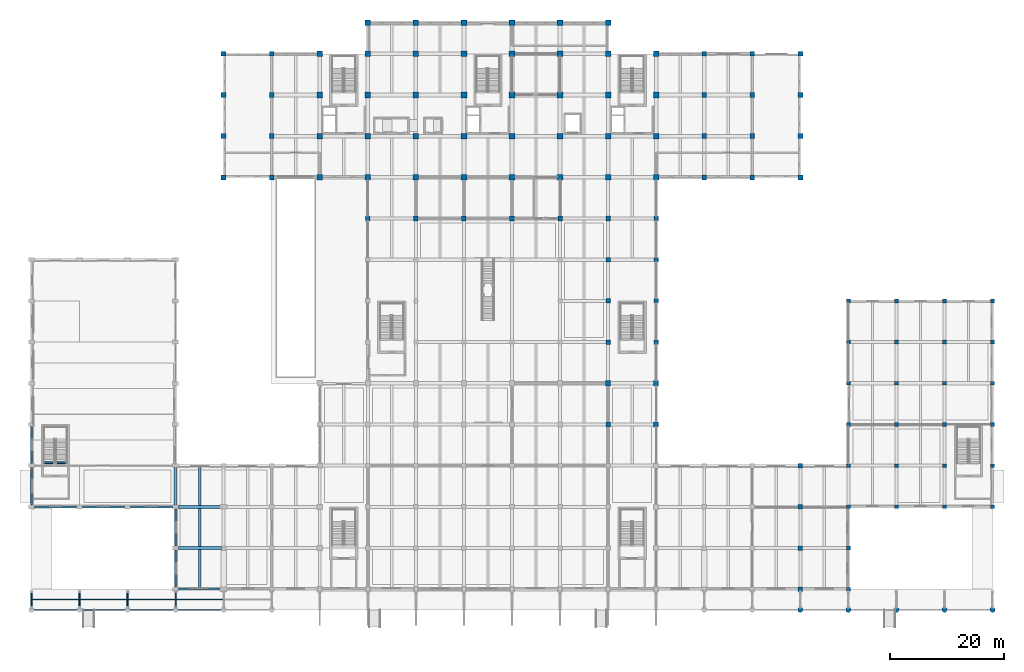
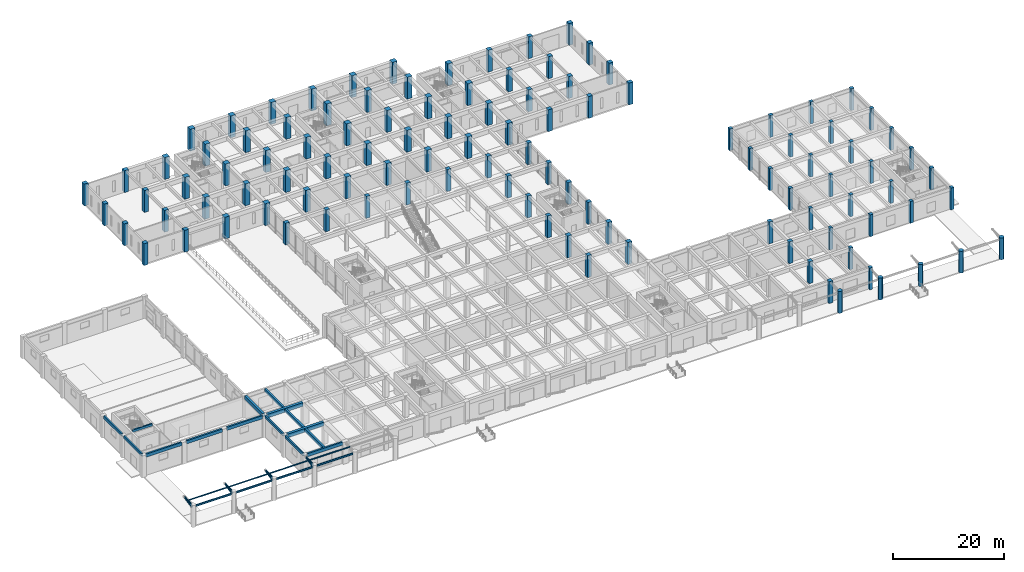
# One storey, part 3 of 49: 110 columns, 23 beams, 8 members.
"""IFC4 building model written with IfcOpenShell, lengths in metres."""

import ifcopenshell
import ifcopenshell.guid

model = None  # the IFC model being written
_history = None  # IfcOwnerHistory: only IFC2X3 demands one
_inside = {}  # id of a spatial element -> (the spatial element, [elements in it])
_under = {}  # id of a project, library or spatial element -> (it, [spatial elements below it])
_declared = {}  # id of a project -> (the project, [libraries it declares])
_typed = {}  # id of a type object -> (the type object, [elements of that type])
_made_of = {}  # id of a material, layer set ... -> (it, [elements and type objects made of it])


def new_model(schema):
    """Start an empty IFC model of exactly this schema.

    Asked for "IFC4X3", IfcOpenShell would pick the latest addendum, in which some entities
    have other attributes; the version numbers below select the first issue.
    IFC2X3 requires an IfcOwnerHistory on every rooted entity: one is made here for all.
    """
    global model, _history
    if schema == "IFC4X3":
        model = ifcopenshell.file(schema_version=(4, 3, 0, 0))
    else:
        model = ifcopenshell.file(schema=schema)
    _inside.clear()
    _under.clear()
    _declared.clear()
    _typed.clear()
    _made_of.clear()
    _history = None
    if model.schema == "IFC2X3":
        org = make("IfcOrganization", Name="unknown")
        user = make(
            "IfcPersonAndOrganization",
            ThePerson=make("IfcPerson", FamilyName="unknown"),
            TheOrganization=org,
        )
        app = make(
            "IfcApplication",
            ApplicationDeveloper=org,
            Version="unknown",
            ApplicationFullName="unknown",
            ApplicationIdentifier="unknown",
        )
        _history = make(
            "IfcOwnerHistory",
            OwningUser=user,
            OwningApplication=app,
            ChangeAction="ADDED",
            CreationDate=0,
        )
    return model


def make(cls, **values):
    """One entity of the class cls with the attributes given. An attribute that is None is left unset."""
    return model.create_entity(
        cls, **{name: value for name, value in values.items() if value is not None}
    )


def rooted(cls, **values):
    """An entity with a GlobalId (a new one), such as an element, a storey or a relation."""
    return make(cls, GlobalId=ifcopenshell.guid.new(), OwnerHistory=_history, **values)


def si_unit(unit_type, name, prefix=None):
    """IfcSIUnit, for example si_unit("LENGTHUNIT", "METRE", prefix="MILLI")."""
    return make("IfcSIUnit", UnitType=unit_type, Prefix=prefix, Name=name)


def assignment(units):
    """IfcUnitAssignment: the units of a project."""
    return None if units is None else make("IfcUnitAssignment", Units=units)


def point(xyz):
    """IfcCartesianPoint."""
    return None if xyz is None else make("IfcCartesianPoint", Coordinates=xyz)


def direction(xyz):
    """IfcDirection."""
    return None if xyz is None else make("IfcDirection", DirectionRatios=xyz)


def frame(location, z_axis=None, x_axis=None):
    """IfcAxis2Placement3D, a coordinate frame: its origin and axes. An axis left out is left unset."""
    return make(
        "IfcAxis2Placement3D",
        Location=point(location),
        Axis=direction(z_axis),
        RefDirection=direction(x_axis),
    )


def frame_2d(location, x_axis=None):
    """IfcAxis2Placement2D, a coordinate frame in the plane: its origin and x axis."""
    return make(
        "IfcAxis2Placement2D", Location=point(location), RefDirection=direction(x_axis)
    )


def origin():
    """The frame at (0, 0, 0) with its axes left unset."""
    return frame((0.0, 0.0, 0.0))


def origin_2d():
    """The frame at (0, 0) in the plane with its x axis left unset."""
    return frame_2d((0.0, 0.0))


def place(relative_to, where):
    """IfcLocalPlacement: puts the frame where relative to a parent placement (None: the world)."""
    return make(
        "IfcLocalPlacement", PlacementRelTo=relative_to, RelativePlacement=where
    )


def context(
    kind, dimensions, precision=None, world=None, true_north=None, identifier=None
):
    """IfcGeometricRepresentationContext, for example the 3D "Model" context."""
    return make(
        "IfcGeometricRepresentationContext",
        ContextIdentifier=identifier,
        ContextType=kind,
        CoordinateSpaceDimension=dimensions,
        Precision=precision,
        WorldCoordinateSystem=world,
        TrueNorth=true_north,
    )


def subcontext(parent, identifier, kind, view, scale=None):
    """IfcGeometricRepresentationSubContext, for example "Body" below "Model"."""
    return make(
        "IfcGeometricRepresentationSubContext",
        ContextIdentifier=identifier,
        ContextType=kind,
        ParentContext=parent,
        TargetScale=scale,
        TargetView=view,
    )


def project(units=None, contexts=None):
    """IfcProject with its units and contexts."""
    return rooted(
        "IfcProject",
        Name="project",
        RepresentationContexts=contexts,
        UnitsInContext=assignment(units),
    )


def spatial(cls, under=None, at=None, **own):
    """A site, building, storey or space (cls), placed at a placement, below another one or the project."""
    s = rooted(cls, ObjectPlacement=at, **own)
    if under is not None:
        _under.setdefault(under.id(), (under, []))[1].append(s)
    return s


def profile(cls, at=None, kind="AREA", **sizes):
    """A parametric profile (cls). Its sizes go by their IFC names, for example OverallWidth=200.0."""
    return make(cls, ProfileType=kind, Position=at, **sizes)


def rectangle(**sizes):
    """IfcRectangleProfileDef."""
    return profile("IfcRectangleProfileDef", **sizes)


def circle(**sizes):
    """IfcCircleProfileDef."""
    return profile("IfcCircleProfileDef", **sizes)


def i_section(**sizes):
    """IfcIShapeProfileDef."""
    return profile("IfcIShapeProfileDef", **sizes)


def extrude(swept, where, along, depth):
    """IfcExtrudedAreaSolid: the profile swept, set in the frame where, extruded along a direction by depth."""
    return make(
        "IfcExtrudedAreaSolid",
        SweptArea=swept,
        Position=where,
        ExtrudedDirection=direction(along),
        Depth=depth,
    )


def shape(context_of_items, identifier, shape_type, items):
    """IfcShapeRepresentation: the items that make up one representation, for example the "Body"."""
    return make(
        "IfcShapeRepresentation",
        ContextOfItems=context_of_items,
        RepresentationIdentifier=identifier,
        RepresentationType=shape_type,
        Items=items,
    )


def material(Name=None, Category=None):
    """IfcMaterial."""
    return make("IfcMaterial", Name=Name, Category=Category)


def material_profile(
    of_material, cross_section, Name=None, Category=None, Priority=None
):
    """IfcMaterialProfile: a cross section and its material."""
    return make(
        "IfcMaterialProfile",
        Name=Name,
        Material=of_material,
        Profile=cross_section,
        Priority=Priority,
        Category=Category,
    )


def profile_set(profiles, Name=None, composite=None):
    """IfcMaterialProfileSet."""
    return make(
        "IfcMaterialProfileSet",
        Name=Name,
        MaterialProfiles=profiles,
        CompositeProfile=composite,
    )


def made_of(thing, what):
    """Note that an element or type object is made of a material, layer set ...; save() writes the relation."""
    if what is not None:
        _made_of.setdefault(what.id(), (what, []))[1].append(thing)
    return thing


def type_object(cls, material=None, **own):
    """A type object (cls), such as IfcWallType, which elements share."""
    return made_of(rooted(cls, **own), material)


def element(
    cls,
    number,
    at=None,
    inside=None,
    cuts=None,
    type_object=None,
    material=None,
    context=None,
    identifier="Body",
    shape_type=None,
    held_by="IfcProductDefinitionShape",
    body=None,
    shapes=None,
    **own,
):
    """One element of the class cls, such as IfcWall. Its Tag is "e" and its number.

    at: its placement. inside: the storey or other place that contains it. cuts: it is an
    opening in that element (IfcRelVoidsElement). A single representation is given by context,
    identifier, shape_type and body (its items); several are given by shapes. held_by: the class
    of the entity that holds the representations. save() writes the other relations.
    """
    e = rooted(cls, Tag="e%d" % number, ObjectPlacement=at, **own)
    if body is not None:
        shapes = [shape(context, identifier, shape_type, body)]
    if shapes is not None:
        e.Representation = make(held_by, Representations=shapes)
    if inside is not None:
        _inside.setdefault(inside.id(), (inside, []))[1].append(e)
    if cuts is not None:
        rooted(
            "IfcRelVoidsElement", RelatingBuildingElement=cuts, RelatedOpeningElement=e
        )
    if type_object is not None:
        _typed.setdefault(type_object.id(), (type_object, []))[1].append(e)
    return made_of(e, material)


def aggregate(whole, parts):
    """IfcRelAggregates: a whole, such as a stair, and the parts it consists of."""
    return rooted("IfcRelAggregates", RelatingObject=whole, RelatedObjects=parts)


def save(model, path):
    """Write the relations noted so far, then the file.

    IfcRelAggregates (storeys below a building ...), IfcRelContainedInSpatialStructure (elements
    in a storey), IfcRelDefinesByType, IfcRelAssociatesMaterial and IfcRelDeclares: one each for
    every whole, place, type object, material and project.
    """
    for whole, parts in _under.values():
        aggregate(whole, parts)
    for where, things in _inside.values():
        rooted(
            "IfcRelContainedInSpatialStructure",
            RelatedElements=things,
            RelatingStructure=where,
        )
    for kind, things in _typed.values():
        rooted("IfcRelDefinesByType", RelatedObjects=things, RelatingType=kind)
    for what, things in _made_of.values():
        rooted("IfcRelAssociatesMaterial", RelatedObjects=things, RelatingMaterial=what)
    for by, libraries in _declared.values():
        rooted("IfcRelDeclares", RelatingContext=by, RelatedDefinitions=libraries)
    model.write(path)


model = new_model("IFC4")

# Units and contexts
model_context = context("Model", 3, precision=1e-05, world=origin(), true_north=direction((0.0, 1.0)))
body_context = subcontext(model_context, "Body", "Model", "MODEL_VIEW")
ifc_project = project(units=[si_unit("LENGTHUNIT", "METRE"), si_unit("AREAUNIT", "SQUARE_METRE"), si_unit("VOLUMEUNIT", "CUBIC_METRE"), si_unit("PLANEANGLEUNIT", "RADIAN"), si_unit("MASSUNIT", "GRAM", prefix="KILO")], contexts=[model_context])

# Site, building, storey
site_placement = place(None, origin())
site = spatial("IfcSite", under=ifc_project, at=site_placement, CompositionType="ELEMENT")
building_placement = place(site_placement, origin())
building = spatial("IfcBuilding", under=site, at=building_placement, Name="Kenerak Square Central Library", CompositionType="ELEMENT")
storey_placement = place(building_placement, origin())
storey = spatial("IfcBuildingStorey", under=building, at=storey_placement, Name="L00", CompositionType="ELEMENT", Elevation=0.0)

# Columns
ifc_material_1 = material(Name="Concrete C45/55", Category="concrete")
ifc_material_profile_1 = material_profile(ifc_material_1, circle(Radius=0.449951171875, at=origin_2d()), Name="RC D900")
ifc_profile_set_1 = profile_set([ifc_material_profile_1], Name="Concrete C45/55")
column_type_1 = type_object("IfcColumnType", Name="Colonnade Pier C-12 RC D900 C45/55", PredefinedType="COLUMN", material=ifc_profile_set_1)
for number, where, z_axis, x_axis, name in (
    (1, (142.39990234375, 13.199951171875, 0.0), (0.0, 0.0, 1.0), (1.0, 0.0, 0.0), "Colonnade Pier C-12 09"),
    (2, (150.800048828125, 13.199951171875, 0.0), (0.0, 0.0, 1.0), (1.0, 0.0, 0.0), "Colonnade Pier C-12 10"),
    (3, (159.199951171875, 13.199951171875, 0.0), (0.0, 0.0, 1.0), (1.0, 0.0, 0.0), "Colonnade Pier C-12 11"),
    (4, (167.60009765625, 13.199951171875, 0.0), (0.0, 0.0, 1.0), (1.0, 0.0, 0.0), "Colonnade Pier C-12 12"),
    (5, (176.0, 13.199951171875, 0.0), (0.0, 0.0, 1.0), (1.0, 0.0, 0.0), "Colonnade Pier C-12 13"),
):
    element("IfcColumn", number, at=place(storey_placement, frame(where, z_axis=z_axis, x_axis=x_axis)), inside=storey, type_object=column_type_1, Name=name, PredefinedType="COLUMN", context=body_context, shape_type="SweptSolid", body=[
        extrude(circle(Radius=0.449951171875, at=origin_2d()), origin(), (0.0, 0.0, 1.0), 4.800048828125),
    ])
ifc_material_profile_2 = material_profile(ifc_material_1, rectangle(XDim=1.0, YDim=1.0, at=origin_2d()), Name="RC 1000x1000")
ifc_profile_set_2 = profile_set([ifc_material_profile_2], Name="Concrete C45/55")
column_type_2 = type_object("IfcColumnType", Name="Column C-01 RC 1000x1000 C45/55", PredefinedType="COLUMN", material=ifc_profile_set_2)
for number, where, z_axis, x_axis, name in (
    (6, (58.39990234375, 88.800048828125, 0.0), (0.0, 0.0, 1.0), (1.0, 0.0, 0.0), "Column C-01 L00 7/N"),
    (7, (58.39990234375, 96.0, 0.0), (0.0, 0.0, 1.0), (1.0, 0.0, 0.0), "Column C-01 L00 7/P"),
    (8, (58.39990234375, 103.199951171875, 0.0), (0.0, 0.0, 1.0), (1.0, 0.0, 0.0), "Column C-01 L00 7/Q"),
    (9, (58.39990234375, 110.39990234375, 0.0), (0.0, 0.0, 1.0), (1.0, 0.0, 0.0), "Column C-01 L00 7/R"),
    (10, (66.800048828125, 88.800048828125, 0.0), (0.0, 0.0, 1.0), (1.0, 0.0, 0.0), "Column C-01 L00 8/N"),
    (11, (66.800048828125, 96.0, 0.0), (0.0, 0.0, 1.0), (1.0, 0.0, 0.0), "Column C-01 L00 8/P"),
    (12, (66.800048828125, 103.199951171875, 0.0), (0.0, 0.0, 1.0), (1.0, 0.0, 0.0), "Column C-01 L00 8/Q"),
    (13, (66.800048828125, 110.39990234375, 0.0), (0.0, 0.0, 1.0), (1.0, 0.0, 0.0), "Column C-01 L00 8/R"),
    (14, (66.800048828125, 115.800048828125, 0.0), (0.0, 0.0, 1.0), (1.0, 0.0, 0.0), "Column C-01 L00 8/S"),
    (15, (75.199951171875, 88.800048828125, 0.0), (0.0, 0.0, 1.0), (1.0, 0.0, 0.0), "Column C-01 L00 9/N"),
    (16, (75.199951171875, 96.0, 0.0), (0.0, 0.0, 1.0), (1.0, 0.0, 0.0), "Column C-01 L00 9/P"),
    (17, (75.199951171875, 103.199951171875, 0.0), (0.0, 0.0, 1.0), (1.0, 0.0, 0.0), "Column C-01 L00 9/Q"),
    (18, (75.199951171875, 110.39990234375, 0.0), (0.0, 0.0, 1.0), (1.0, 0.0, 0.0), "Column C-01 L00 9/R"),
    (19, (75.199951171875, 115.800048828125, 0.0), (0.0, 0.0, 1.0), (1.0, 0.0, 0.0), "Column C-01 L00 9/S"),
    (20, (83.60009765625, 88.800048828125, 0.0), (0.0, 0.0, 1.0), (1.0, 0.0, 0.0), "Column C-01 L00 10/N"),
    (21, (83.60009765625, 96.0, 0.0), (0.0, 0.0, 1.0), (1.0, 0.0, 0.0), "Column C-01 L00 10/P"),
    (22, (83.60009765625, 103.199951171875, 0.0), (0.0, 0.0, 1.0), (1.0, 0.0, 0.0), "Column C-01 L00 10/Q"),
    (23, (83.60009765625, 110.39990234375, 0.0), (0.0, 0.0, 1.0), (1.0, 0.0, 0.0), "Column C-01 L00 10/R"),
    (24, (83.60009765625, 115.800048828125, 0.0), (0.0, 0.0, 1.0), (1.0, 0.0, 0.0), "Column C-01 L00 10/S"),
    (25, (92.0, 88.800048828125, 0.0), (0.0, 0.0, 1.0), (1.0, 0.0, 0.0), "Column C-01 L00 11/N"),
    (26, (92.0, 96.0, 0.0), (0.0, 0.0, 1.0), (1.0, 0.0, 0.0), "Column C-01 L00 11/P"),
    (27, (92.0, 103.199951171875, 0.0), (0.0, 0.0, 1.0), (1.0, 0.0, 0.0), "Column C-01 L00 11/Q"),
    (28, (92.0, 110.39990234375, 0.0), (0.0, 0.0, 1.0), (1.0, 0.0, 0.0), "Column C-01 L00 11/R"),
    (29, (92.0, 115.800048828125, 0.0), (0.0, 0.0, 1.0), (1.0, 0.0, 0.0), "Column C-01 L00 11/S"),
    (30, (100.39990234375, 88.800048828125, 0.0), (0.0, 0.0, 1.0), (1.0, 0.0, 0.0), "Column C-01 L00 12/N"),
    (31, (100.39990234375, 96.0, 0.0), (0.0, 0.0, 1.0), (1.0, 0.0, 0.0), "Column C-01 L00 12/P"),
    (32, (100.39990234375, 103.199951171875, 0.0), (0.0, 0.0, 1.0), (1.0, 0.0, 0.0), "Column C-01 L00 12/Q"),
    (33, (100.39990234375, 110.39990234375, 0.0), (0.0, 0.0, 1.0), (1.0, 0.0, 0.0), "Column C-01 L00 12/R"),
    (34, (100.39990234375, 115.800048828125, 0.0), (0.0, 0.0, 1.0), (1.0, 0.0, 0.0), "Column C-01 L00 12/S"),
    (35, (108.800048828125, 88.800048828125, 0.0), (0.0, 0.0, 1.0), (1.0, 0.0, 0.0), "Column C-01 L00 13/N"),
    (36, (108.800048828125, 96.0, 0.0), (0.0, 0.0, 1.0), (1.0, 0.0, 0.0), "Column C-01 L00 13/P"),
    (37, (108.800048828125, 103.199951171875, 0.0), (0.0, 0.0, 1.0), (1.0, 0.0, 0.0), "Column C-01 L00 13/Q"),
    (38, (108.800048828125, 110.39990234375, 0.0), (0.0, 0.0, 1.0), (1.0, 0.0, 0.0), "Column C-01 L00 13/R"),
    (39, (108.800048828125, 115.800048828125, 0.0), (0.0, 0.0, 1.0), (1.0, 0.0, 0.0), "Column C-01 L00 13/S"),
    (40, (117.199951171875, 88.800048828125, 0.0), (0.0, 0.0, 1.0), (1.0, 0.0, 0.0), "Column C-01 L00 14/N"),
    (41, (117.199951171875, 96.0, 0.0), (0.0, 0.0, 1.0), (1.0, 0.0, 0.0), "Column C-01 L00 14/P"),
    (42, (117.199951171875, 103.199951171875, 0.0), (0.0, 0.0, 1.0), (1.0, 0.0, 0.0), "Column C-01 L00 14/Q"),
    (43, (117.199951171875, 110.39990234375, 0.0), (0.0, 0.0, 1.0), (1.0, 0.0, 0.0), "Column C-01 L00 14/R"),
):
    element("IfcColumn", number, at=place(storey_placement, frame(where, z_axis=z_axis, x_axis=x_axis)), inside=storey, type_object=column_type_2, Name=name, PredefinedType="COLUMN", context=body_context, shape_type="SweptSolid", body=[
        extrude(rectangle(XDim=1.0, YDim=1.0, at=origin_2d()), origin(), (0.0, 0.0, 1.0), 4.800048828125),
    ])
ifc_material_profile_3 = material_profile(ifc_material_1, rectangle(XDim=0.89990234375, YDim=0.89990234375, at=origin_2d()), Name="RC 900x900")
ifc_profile_set_3 = profile_set([ifc_material_profile_3], Name="Concrete C45/55")
column_type_3 = type_object("IfcColumnType", Name="Column C-02 RC 900x900 C45/55", PredefinedType="COLUMN", material=ifc_profile_set_3)
for number, where, z_axis, x_axis, name in (
    (44, (108.800048828125, 52.800048828125, 0.0), (0.0, 0.0, 1.0), (1.0, 0.0, 0.0), "Column C-02 L00 13/H"),
    (45, (117.199951171875, 45.60009765625, 0.0), (0.0, 0.0, 1.0), (1.0, 0.0, 0.0), "Column C-02 L00 14/G"),
    (46, (117.199951171875, 52.800048828125, 0.0), (0.0, 0.0, 1.0), (1.0, 0.0, 0.0), "Column C-02 L00 14/H"),
):
    element("IfcColumn", number, at=place(storey_placement, frame(where, z_axis=z_axis, x_axis=x_axis)), inside=storey, type_object=column_type_3, Name=name, PredefinedType="COLUMN", context=body_context, shape_type="SweptSolid", body=[
        extrude(rectangle(XDim=0.89990234375, YDim=0.89990234375, at=origin_2d()), origin(), (0.0, 0.0, 1.0), 4.800048828125),
    ])
ifc_material_profile_4 = material_profile(ifc_material_1, rectangle(XDim=0.85009765625, YDim=0.85009765625, at=origin_2d()), Name="RC 850x850")
ifc_profile_set_4 = profile_set([ifc_material_profile_4], Name="Concrete C45/55")
column_type_4 = type_object("IfcColumnType", Name="Column C-03 RC 850x850 C45/55", PredefinedType="COLUMN", material=ifc_profile_set_4)
for number, where, z_axis, x_axis, name in (
    (47, (41.60009765625, 88.800048828125, 0.0), (0.0, 0.0, 1.0), (1.0, 0.0, 0.0), "Column C-03 L00 5/N"),
    (48, (41.60009765625, 96.0, 0.0), (0.0, 0.0, 1.0), (1.0, 0.0, 0.0), "Column C-03 L00 5/P"),
    (49, (41.60009765625, 103.199951171875, 0.0), (0.0, 0.0, 1.0), (1.0, 0.0, 0.0), "Column C-03 L00 5/Q"),
    (50, (41.60009765625, 110.39990234375, 0.0), (0.0, 0.0, 1.0), (1.0, 0.0, 0.0), "Column C-03 L00 5/R"),
    (51, (50.0, 88.800048828125, 0.0), (0.0, 0.0, 1.0), (1.0, 0.0, 0.0), "Column C-03 L00 6/N"),
    (52, (50.0, 96.0, 0.0), (0.0, 0.0, 1.0), (1.0, 0.0, 0.0), "Column C-03 L00 6/P"),
    (53, (50.0, 103.199951171875, 0.0), (0.0, 0.0, 1.0), (1.0, 0.0, 0.0), "Column C-03 L00 6/Q"),
    (54, (50.0, 110.39990234375, 0.0), (0.0, 0.0, 1.0), (1.0, 0.0, 0.0), "Column C-03 L00 6/R"),
    (55, (125.60009765625, 88.800048828125, 0.0), (0.0, 0.0, 1.0), (1.0, 0.0, 0.0), "Column C-03 L00 15/N"),
    (56, (125.60009765625, 96.0, 0.0), (0.0, 0.0, 1.0), (1.0, 0.0, 0.0), "Column C-03 L00 15/P"),
    (57, (125.60009765625, 103.199951171875, 0.0), (0.0, 0.0, 1.0), (1.0, 0.0, 0.0), "Column C-03 L00 15/Q"),
    (58, (125.60009765625, 110.39990234375, 0.0), (0.0, 0.0, 1.0), (1.0, 0.0, 0.0), "Column C-03 L00 15/R"),
    (59, (134.0, 88.800048828125, 0.0), (0.0, 0.0, 1.0), (1.0, 0.0, 0.0), "Column C-03 L00 16/N"),
    (60, (134.0, 96.0, 0.0), (0.0, 0.0, 1.0), (1.0, 0.0, 0.0), "Column C-03 L00 16/P"),
    (61, (134.0, 103.199951171875, 0.0), (0.0, 0.0, 1.0), (1.0, 0.0, 0.0), "Column C-03 L00 16/Q"),
    (62, (134.0, 110.39990234375, 0.0), (0.0, 0.0, 1.0), (1.0, 0.0, 0.0), "Column C-03 L00 16/R"),
    (63, (142.39990234375, 88.800048828125, 0.0), (0.0, 0.0, 1.0), (1.0, 0.0, 0.0), "Column C-03 L00 17/N"),
    (64, (142.39990234375, 96.0, 0.0), (0.0, 0.0, 1.0), (1.0, 0.0, 0.0), "Column C-03 L00 17/P"),
    (65, (142.39990234375, 103.199951171875, 0.0), (0.0, 0.0, 1.0), (1.0, 0.0, 0.0), "Column C-03 L00 17/Q"),
    (66, (142.39990234375, 110.39990234375, 0.0), (0.0, 0.0, 1.0), (1.0, 0.0, 0.0), "Column C-03 L00 17/R"),
):
    element("IfcColumn", number, at=place(storey_placement, frame(where, z_axis=z_axis, x_axis=x_axis)), inside=storey, type_object=column_type_4, Name=name, PredefinedType="COLUMN", context=body_context, shape_type="SweptSolid", body=[
        extrude(rectangle(XDim=0.85009765625, YDim=0.85009765625, at=origin_2d()), origin(), (0.0, 0.0, 1.0), 4.800048828125),
    ])
ifc_material_profile_5 = material_profile(ifc_material_1, rectangle(XDim=0.800048828125, YDim=0.800048828125, at=origin_2d()), Name="RC 800x800")
ifc_profile_set_5 = profile_set([ifc_material_profile_5], Name="Concrete C45/55")
column_type_5 = type_object("IfcColumnType", Name="Column C-04 RC 800x800 C45/55", PredefinedType="COLUMN", material=ifc_profile_set_5)
for number, where, z_axis, x_axis, name in (
    (67, (66.800048828125, 81.60009765625, 0.0), (0.0, 0.0, 1.0), (1.0, 0.0, 0.0), "Column C-04 L00 8/M"),
    (68, (75.199951171875, 81.60009765625, 0.0), (0.0, 0.0, 1.0), (1.0, 0.0, 0.0), "Column C-04 L00 9/M"),
    (69, (83.60009765625, 81.60009765625, 0.0), (0.0, 0.0, 1.0), (1.0, 0.0, 0.0), "Column C-04 L00 10/M"),
    (70, (92.0, 81.60009765625, 0.0), (0.0, 0.0, 1.0), (1.0, 0.0, 0.0), "Column C-04 L00 11/M"),
    (71, (100.39990234375, 81.60009765625, 0.0), (0.0, 0.0, 1.0), (1.0, 0.0, 0.0), "Column C-04 L00 12/M"),
    (72, (108.800048828125, 45.60009765625, 0.0), (0.0, 0.0, 1.0), (1.0, 0.0, 0.0), "Column C-04 L00 13/G"),
    (73, (108.800048828125, 60.0, 0.0), (0.0, 0.0, 1.0), (1.0, 0.0, 0.0), "Column C-04 L00 13/J"),
    (74, (108.800048828125, 67.199951171875, 0.0), (0.0, 0.0, 1.0), (1.0, 0.0, 0.0), "Column C-04 L00 13/K"),
    (75, (108.800048828125, 74.39990234375, 0.0), (0.0, 0.0, 1.0), (1.0, 0.0, 0.0), "Column C-04 L00 13/L"),
    (76, (108.800048828125, 81.60009765625, 0.0), (0.0, 0.0, 1.0), (1.0, 0.0, 0.0), "Column C-04 L00 13/M"),
    (77, (117.199951171875, 60.0, 0.0), (0.0, 0.0, 1.0), (1.0, 0.0, 0.0), "Column C-04 L00 14/J"),
    (78, (117.199951171875, 67.199951171875, 0.0), (0.0, 0.0, 1.0), (1.0, 0.0, 0.0), "Column C-04 L00 14/K"),
    (79, (117.199951171875, 74.39990234375, 0.0), (0.0, 0.0, 1.0), (1.0, 0.0, 0.0), "Column C-04 L00 14/L"),
    (80, (117.199951171875, 81.60009765625, 0.0), (0.0, 0.0, 1.0), (1.0, 0.0, 0.0), "Column C-04 L00 14/M"),
    (81, (142.39990234375, 16.800048828125, 0.0), (0.0, 0.0, 1.0), (1.0, 0.0, 0.0), "Column C-04 L00 17/C"),
    (82, (142.39990234375, 24.0, 0.0), (0.0, 0.0, 1.0), (1.0, 0.0, 0.0), "Column C-04 L00 17/D"),
    (83, (142.39990234375, 31.199951171875, 0.0), (0.0, 0.0, 1.0), (1.0, 0.0, 0.0), "Column C-04 L00 17/E"),
    (84, (142.39990234375, 38.39990234375, 0.0), (0.0, 0.0, 1.0), (1.0, 0.0, 0.0), "Column C-04 L00 17/F"),
):
    element("IfcColumn", number, at=place(storey_placement, frame(where, z_axis=z_axis, x_axis=x_axis)), inside=storey, type_object=column_type_5, Name=name, PredefinedType="COLUMN", context=body_context, shape_type="SweptSolid", body=[
        extrude(rectangle(XDim=0.800048828125, YDim=0.800048828125, at=origin_2d()), origin(), (0.0, 0.0, 1.0), 4.800048828125),
    ])
ifc_material_2 = material(Name="Concrete C40/50", Category="concrete")
ifc_material_profile_6 = material_profile(ifc_material_2, rectangle(XDim=0.64990234375, YDim=0.64990234375, at=origin_2d()), Name="RC 650x650")
ifc_profile_set_6 = profile_set([ifc_material_profile_6], Name="Concrete C40/50")
column_type_6 = type_object("IfcColumnType", Name="Column C-07 RC 650x650 C40/50", PredefinedType="COLUMN", material=ifc_profile_set_6)
for number, where, z_axis, x_axis, name in (
    (85, (150.800048828125, 16.800048828125, 0.0), (0.0, 0.0, 1.0), (1.0, 0.0, 0.0), "Column C-07 L00 18/C"),
    (86, (150.800048828125, 24.0, 0.0), (0.0, 0.0, 1.0), (1.0, 0.0, 0.0), "Column C-07 L00 18/D"),
    (87, (150.800048828125, 31.199951171875, 0.0), (0.0, 0.0, 1.0), (1.0, 0.0, 0.0), "Column C-07 L00 18/E"),
    (88, (150.800048828125, 38.39990234375, 0.0), (0.0, 0.0, 1.0), (1.0, 0.0, 0.0), "Column C-07 L00 18/F"),
    (89, (150.800048828125, 45.60009765625, 0.0), (0.0, 0.0, 1.0), (1.0, 0.0, 0.0), "Column C-07 L00 18/G"),
    (90, (150.800048828125, 52.800048828125, 0.0), (0.0, 0.0, 1.0), (1.0, 0.0, 0.0), "Column C-07 L00 18/H"),
    (91, (150.800048828125, 60.0, 0.0), (0.0, 0.0, 1.0), (1.0, 0.0, 0.0), "Column C-07 L00 18/J"),
    (92, (150.800048828125, 67.199951171875, 0.0), (0.0, 0.0, 1.0), (1.0, 0.0, 0.0), "Column C-07 L00 18/K"),
    (93, (159.199951171875, 31.199951171875, 0.0), (0.0, 0.0, 1.0), (1.0, 0.0, 0.0), "Column C-07 L00 19/E"),
    (94, (159.199951171875, 38.39990234375, 0.0), (0.0, 0.0, 1.0), (1.0, 0.0, 0.0), "Column C-07 L00 19/F"),
    (95, (159.199951171875, 45.60009765625, 0.0), (0.0, 0.0, 1.0), (1.0, 0.0, 0.0), "Column C-07 L00 19/G"),
    (96, (159.199951171875, 52.800048828125, 0.0), (0.0, 0.0, 1.0), (1.0, 0.0, 0.0), "Column C-07 L00 19/H"),
    (97, (159.199951171875, 60.0, 0.0), (0.0, 0.0, 1.0), (1.0, 0.0, 0.0), "Column C-07 L00 19/J"),
    (98, (159.199951171875, 67.199951171875, 0.0), (0.0, 0.0, 1.0), (1.0, 0.0, 0.0), "Column C-07 L00 19/K"),
    (99, (167.60009765625, 31.199951171875, 0.0), (0.0, 0.0, 1.0), (1.0, 0.0, 0.0), "Column C-07 L00 20/E"),
    (100, (167.60009765625, 38.39990234375, 0.0), (0.0, 0.0, 1.0), (1.0, 0.0, 0.0), "Column C-07 L00 20/F"),
    (101, (167.60009765625, 45.60009765625, 0.0), (0.0, 0.0, 1.0), (1.0, 0.0, 0.0), "Column C-07 L00 20/G"),
    (102, (167.60009765625, 52.800048828125, 0.0), (0.0, 0.0, 1.0), (1.0, 0.0, 0.0), "Column C-07 L00 20/H"),
    (103, (167.60009765625, 60.0, 0.0), (0.0, 0.0, 1.0), (1.0, 0.0, 0.0), "Column C-07 L00 20/J"),
    (104, (167.60009765625, 67.199951171875, 0.0), (0.0, 0.0, 1.0), (1.0, 0.0, 0.0), "Column C-07 L00 20/K"),
    (105, (176.0, 31.199951171875, 0.0), (0.0, 0.0, 1.0), (1.0, 0.0, 0.0), "Column C-07 L00 21/E"),
    (106, (176.0, 38.39990234375, 0.0), (0.0, 0.0, 1.0), (1.0, 0.0, 0.0), "Column C-07 L00 21/F"),
    (107, (176.0, 45.60009765625, 0.0), (0.0, 0.0, 1.0), (1.0, 0.0, 0.0), "Column C-07 L00 21/G"),
    (108, (176.0, 52.800048828125, 0.0), (0.0, 0.0, 1.0), (1.0, 0.0, 0.0), "Column C-07 L00 21/H"),
    (109, (176.0, 60.0, 0.0), (0.0, 0.0, 1.0), (1.0, 0.0, 0.0), "Column C-07 L00 21/J"),
    (110, (176.0, 67.199951171875, 0.0), (0.0, 0.0, 1.0), (1.0, 0.0, 0.0), "Column C-07 L00 21/K"),
):
    element("IfcColumn", number, at=place(storey_placement, frame(where, z_axis=z_axis, x_axis=x_axis)), inside=storey, type_object=column_type_6, Name=name, PredefinedType="COLUMN", context=body_context, shape_type="SweptSolid", body=[
        extrude(rectangle(XDim=0.64990234375, YDim=0.64990234375, at=origin_2d()), origin(), (0.0, 0.0, 1.0), 4.800048828125),
    ])

# Beams
ifc_material_3 = material(Name="Steel S355", Category="steel")
ifc_material_profile_7 = material_profile(ifc_material_3, i_section(OverallWidth=0.14990234375, OverallDepth=0.300048828125, WebThickness=0.007080078125, FlangeThickness=0.0107421875, FilletRadius=0.014892578125, at=origin_2d()), Name="IPE 300")
ifc_profile_set_7 = profile_set([ifc_material_profile_7], Name="Steel S355")
beam_type_1 = type_object("IfcBeamType", Name="Canopy Steel Joist SJ-02 IPE 300 S355", PredefinedType="JOIST", material=ifc_profile_set_7)
for number, where, z_axis, x_axis, name in (
    (111, (8.0, 13.64990234375, 4.5), (0.0, 1.0, 0.0), (-1.0, 0.0, 0.0), "Colonnade Canopy Tie Joist SJ-02 01"),
    (112, (16.39990234375, 13.64990234375, 4.5), (0.0, 1.0, 0.0), (-1.0, 0.0, 0.0), "Colonnade Canopy Tie Joist SJ-02 02"),
    (113, (24.800048828125, 13.64990234375, 4.5), (0.0, 1.0, 0.0), (-1.0, 0.0, 0.0), "Colonnade Canopy Tie Joist SJ-02 03"),
    (114, (33.199951171875, 13.64990234375, 4.5), (0.0, 1.0, 0.0), (-1.0, 0.0, 0.0), "Colonnade Canopy Tie Joist SJ-02 04"),
):
    element("IfcBeam", number, at=place(storey_placement, frame(where, z_axis=z_axis, x_axis=x_axis)), inside=storey, type_object=beam_type_1, Name=name, PredefinedType="JOIST", context=body_context, shape_type="SweptSolid", body=[
        extrude(i_section(OverallWidth=0.14990234375, OverallDepth=0.300048828125, WebThickness=0.007080078125, FlangeThickness=0.0107421875, FilletRadius=0.014892578125, at=origin_2d()), origin(), (0.0, 0.0, 1.0), 2.7001953125),
    ])

# Members
ifc_material_profile_8 = material_profile(ifc_material_3, i_section(OverallWidth=0.300048828125, OverallDepth=0.300048828125, WebThickness=0.010986328125, FlangeThickness=0.01904296875, FilletRadius=0.027099609375, at=origin_2d()), Name="HEB 300")
ifc_profile_set_8 = profile_set([ifc_material_profile_8], Name="Steel S355")
member_type_1 = type_object("IfcMemberType", Name="Canopy Tie Member CT-01 HEB 300 S355", PredefinedType="STRUT", material=ifc_profile_set_8)
for number, where, z_axis, x_axis, name in (
    (115, (8.0, 13.64990234375, 3.89990234375), (0.0, 0.976182906477, 0.216949148655), (-1.0, 0.0, 0.0), "Colonnade Raking Tie CT-01 01"),
    (116, (16.39990234375, 13.64990234375, 3.89990234375), (0.0, 0.976182906477, 0.216949148655), (-1.0, 0.0, 0.0), "Colonnade Raking Tie CT-01 02"),
    (117, (24.800048828125, 13.64990234375, 3.89990234375), (0.0, 0.976182906477, 0.216949148655), (-1.0, 0.0, 0.0), "Colonnade Raking Tie CT-01 03"),
    (118, (33.199951171875, 13.64990234375, 3.89990234375), (0.0, 0.976182906477, 0.216949148655), (-1.0, 0.0, 0.0), "Colonnade Raking Tie CT-01 04"),
):
    element("IfcMember", number, at=place(storey_placement, frame(where, z_axis=z_axis, x_axis=x_axis)), inside=storey, type_object=member_type_1, Name=name, PredefinedType="STRUT", context=body_context, shape_type="SweptSolid", body=[
        extrude(i_section(OverallWidth=0.300048828125, OverallDepth=0.300048828125, WebThickness=0.010986328125, FlangeThickness=0.01904296875, FilletRadius=0.027099609375, at=origin_2d()), origin(), (0.0, 0.0, 1.0), 2.76611328125),
    ])
ifc_material_profile_9 = material_profile(ifc_material_3, i_section(OverallWidth=0.091064453125, OverallDepth=0.179931640625, WebThickness=0.00537109375, FlangeThickness=0.008056640625, FilletRadius=0.009033203125, at=origin_2d()), Name="IPE 180")
ifc_profile_set_9 = profile_set([ifc_material_profile_9], Name="Steel S355")
member_type_2 = type_object("IfcMemberType", Name="Canopy Trim Purlin PR-03 IPE 180 S355", PredefinedType="PURLIN", material=ifc_profile_set_9)
member_1_placement = place(storey_placement, frame((8.0, 15.0, 4.56005859375), z_axis=(1.0, 0.0, 0.0), x_axis=(0.0, 1.0, 0.0)))
element("IfcMember", 119, at=member_1_placement, inside=storey, type_object=member_type_2, Name="Colonnade Trim Purlin PR-03 01", PredefinedType="PURLIN", context=body_context, shape_type="SweptSolid", body=[
    extrude(i_section(OverallWidth=0.091064453125, OverallDepth=0.179931640625, WebThickness=0.00537109375, FlangeThickness=0.008056640625, FilletRadius=0.009033203125, at=origin_2d()), origin(), (0.0, 0.0, 1.0), 8.39990234375),
])
member_2_placement = place(storey_placement, frame((16.39990234375, 15.0, 4.56005859375), z_axis=(1.0, 0.0, 0.0), x_axis=(0.0, 1.0, 0.0)))
element("IfcMember", 120, at=member_2_placement, inside=storey, type_object=member_type_2, Name="Colonnade Trim Purlin PR-03 02", PredefinedType="PURLIN", context=body_context, shape_type="SweptSolid", body=[
    extrude(i_section(OverallWidth=0.091064453125, OverallDepth=0.179931640625, WebThickness=0.00537109375, FlangeThickness=0.008056640625, FilletRadius=0.009033203125, at=origin_2d()), origin(), (0.0, 0.0, 1.0), 8.400146484375),
])
member_3_placement = place(storey_placement, frame((24.800048828125, 15.0, 4.56005859375), z_axis=(1.0, 0.0, 0.0), x_axis=(0.0, 1.0, 0.0)))
element("IfcMember", 121, at=member_3_placement, inside=storey, type_object=member_type_2, Name="Colonnade Trim Purlin PR-03 03", PredefinedType="PURLIN", context=body_context, shape_type="SweptSolid", body=[
    extrude(i_section(OverallWidth=0.091064453125, OverallDepth=0.179931640625, WebThickness=0.00537109375, FlangeThickness=0.008056640625, FilletRadius=0.009033203125, at=origin_2d()), origin(), (0.0, 0.0, 1.0), 8.39990234375),
])
member_4_placement = place(storey_placement, frame((33.199951171875, 15.0, 4.56005859375), z_axis=(1.0, 0.0, 0.0), x_axis=(0.0, 1.0, 0.0)))
element("IfcMember", 122, at=member_4_placement, inside=storey, type_object=member_type_2, Name="Colonnade Trim Purlin PR-03 04", PredefinedType="PURLIN", context=body_context, shape_type="SweptSolid", body=[
    extrude(i_section(OverallWidth=0.091064453125, OverallDepth=0.179931640625, WebThickness=0.00537109375, FlangeThickness=0.008056640625, FilletRadius=0.009033203125, at=origin_2d()), origin(), (0.0, 0.0, 1.0), 8.400146484375),
])

# Beams
ifc_material_profile_10 = material_profile(ifc_material_3, i_section(OverallWidth=0.179931640625, OverallDepth=0.39990234375, WebThickness=0.008544921875, FlangeThickness=0.013427734375, FilletRadius=0.02099609375, at=origin_2d()), Name="IPE 400")
ifc_profile_set_10 = profile_set([ifc_material_profile_10], Name="Steel S355")
beam_type_2 = type_object("IfcBeamType", Name="Colonnade Roof Beam SB-09 IPE 400 S355", PredefinedType="BEAM", material=ifc_profile_set_10)
for number, where, z_axis, x_axis, name in (
    (123, (8.449951171875, 13.199951171875, 4.300048828125), (1.0, 0.0, 0.0), (0.0, 1.0, 0.0), "Colonnade Edge Beam SB-09 W01"),
    (124, (16.85009765625, 13.199951171875, 4.300048828125), (1.0, 0.0, 0.0), (0.0, 1.0, 0.0), "Colonnade Edge Beam SB-09 W02"),
    (125, (25.25, 13.199951171875, 4.300048828125), (1.0, 0.0, 0.0), (0.0, 1.0, 0.0), "Colonnade Edge Beam SB-09 W03"),
    (126, (33.64990234375, 13.199951171875, 4.300048828125), (1.0, 0.0, 0.0), (0.0, 1.0, 0.0), "Colonnade Edge Beam SB-09 W04"),
):
    element("IfcBeam", number, at=place(storey_placement, frame(where, z_axis=z_axis, x_axis=x_axis)), inside=storey, type_object=beam_type_2, Name=name, PredefinedType="BEAM", context=body_context, shape_type="SweptSolid", body=[
        extrude(i_section(OverallWidth=0.179931640625, OverallDepth=0.39990234375, WebThickness=0.008544921875, FlangeThickness=0.013427734375, FilletRadius=0.02099609375, at=origin_2d()), origin(), (0.0, 0.0, 1.0), 7.5),
    ])
ifc_material_profile_11 = material_profile(ifc_material_2, rectangle(XDim=0.300048828125, YDim=0.60009765625, at=origin_2d()), Name="RC 300x600")
ifc_profile_set_11 = profile_set([ifc_material_profile_11], Name="Concrete C40/50")
beam_type_3 = type_object("IfcBeamType", Name="Courtyard Spandrel Beam SP-02 RC 300x600 C40/50", PredefinedType="SPANDREL", material=ifc_profile_set_11)
for number, where, z_axis, x_axis, name in (
    (127, (8.0, 31.550048828125, 4.5), (0.0, 1.0, 0.0), (-1.0, 0.0, 0.0), "Beam SP-02 L00 0591"),
    (128, (8.0, 38.75, 4.5), (0.0, 1.0, 0.0), (-1.0, 0.0, 0.0), "Beam SP-02 L00 0592"),
    (129, (33.199951171875, 17.14990234375, 4.5), (0.0, 1.0, 0.0), (-1.0, 0.0, 0.0), "Beam SP-02 L00 0597"),
    (130, (33.199951171875, 24.35009765625, 4.5), (0.0, 1.0, 0.0), (-1.0, 0.0, 0.0), "Beam SP-02 L00 0598"),
):
    element("IfcBeam", number, at=place(storey_placement, frame(where, z_axis=z_axis, x_axis=x_axis)), inside=storey, type_object=beam_type_3, Name=name, PredefinedType="SPANDREL", context=body_context, shape_type="SweptSolid", body=[
        extrude(rectangle(XDim=0.300048828125, YDim=0.60009765625, at=origin_2d()), origin(), (0.0, 0.0, 1.0), 6.5),
    ])
ifc_material_profile_12 = material_profile(ifc_material_2, rectangle(XDim=0.35009765625, YDim=0.699951171875, at=origin_2d()), Name="RC 350x700")
ifc_profile_set_12 = profile_set([ifc_material_profile_12], Name="Concrete C40/50")
beam_type_4 = type_object("IfcBeamType", Name="Expressed Spandrel Beam SP-01 RC 350x700 C40/50", PredefinedType="SPANDREL", material=ifc_profile_set_12)
beam_1_placement = place(storey_placement, frame((33.699951171875, 16.800048828125, 4.449951171875), z_axis=(1.0, 0.0, 0.0), x_axis=(0.0, 1.0, 0.0)))
element("IfcBeam", 131, at=beam_1_placement, inside=storey, type_object=beam_type_4, Name="Beam SP-01 L00 0447", PredefinedType="SPANDREL", context=body_context, shape_type="SweptSolid", body=[
    extrude(rectangle(XDim=0.35009765625, YDim=0.699951171875, at=origin_2d()), origin(), (0.0, 0.0, 1.0), 7.35009765625),
])
beam_2_placement = place(storey_placement, frame((8.5, 31.199951171875, 4.449951171875), z_axis=(1.0, 0.0, 0.0), x_axis=(0.0, 1.0, 0.0)))
element("IfcBeam", 132, at=beam_2_placement, inside=storey, type_object=beam_type_4, Name="Beam SP-01 L00 0473", PredefinedType="SPANDREL", context=body_context, shape_type="SweptSolid", body=[
    extrude(rectangle(XDim=0.35009765625, YDim=0.699951171875, at=origin_2d()), origin(), (0.0, 0.0, 1.0), 7.39990234375),
])
beam_3_placement = place(storey_placement, frame((16.89990234375, 31.199951171875, 4.449951171875), z_axis=(1.0, 0.0, 0.0), x_axis=(0.0, 1.0, 0.0)))
element("IfcBeam", 133, at=beam_3_placement, inside=storey, type_object=beam_type_4, Name="Beam SP-01 L00 0474", PredefinedType="SPANDREL", context=body_context, shape_type="SweptSolid", body=[
    extrude(rectangle(XDim=0.35009765625, YDim=0.699951171875, at=origin_2d()), origin(), (0.0, 0.0, 1.0), 7.400146484375),
])
beam_4_placement = place(storey_placement, frame((25.300048828125, 31.199951171875, 4.449951171875), z_axis=(1.0, 0.0, 0.0), x_axis=(0.0, 1.0, 0.0)))
element("IfcBeam", 134, at=beam_4_placement, inside=storey, type_object=beam_type_4, Name="Beam SP-01 L00 0475", PredefinedType="SPANDREL", context=body_context, shape_type="SweptSolid", body=[
    extrude(rectangle(XDim=0.35009765625, YDim=0.699951171875, at=origin_2d()), origin(), (0.0, 0.0, 1.0), 7.39990234375),
])
ifc_material_profile_13 = material_profile(ifc_material_2, rectangle(XDim=0.300048828125, YDim=0.5, at=origin_2d()), Name="RC 300x500")
ifc_profile_set_13 = profile_set([ifc_material_profile_13], Name="Concrete C40/50")
beam_type_5 = type_object("IfcBeamType", Name="Landing Support Beam B-08 RC 300x500 C40/50", PredefinedType="BEAM", material=ifc_profile_set_13)
beam_5_placement = place(storey_placement, frame((10.1201171875, 38.909912109375, 4.550048828125), z_axis=(1.0, 0.0, 0.0), x_axis=(0.0, 1.0, 0.0)))
element("IfcBeam", 135, at=beam_5_placement, inside=storey, type_object=beam_type_5, Name="Stair Threshold Beam B-08 ST-06 L01", PredefinedType="BEAM", context=body_context, shape_type="SweptSolid", body=[
    extrude(rectangle(XDim=0.300048828125, YDim=0.5, at=origin_2d()), origin(), (0.0, 0.0, 1.0), 4.159912109375),
])
ifc_material_profile_14 = material_profile(ifc_material_2, rectangle(XDim=0.550048828125, YDim=0.800048828125, at=origin_2d()), Name="RC 550x800")
ifc_profile_set_14 = profile_set([ifc_material_profile_14], Name="Concrete C40/50")
beam_type_6 = type_object("IfcBeamType", Name="Primary Reading Beam B-04 RC 550x800 C40/50", PredefinedType="BEAM", material=ifc_profile_set_14)
beam_6_placement = place(storey_placement, frame((33.699951171875, 24.0, 4.39990234375), z_axis=(1.0, 0.0, 0.0), x_axis=(0.0, 1.0, 0.0)))
element("IfcBeam", 136, at=beam_6_placement, inside=storey, type_object=beam_type_6, Name="Beam B-04 L00 0461", PredefinedType="BEAM", context=body_context, shape_type="SweptSolid", body=[
    extrude(rectangle(XDim=0.550048828125, YDim=0.800048828125, at=origin_2d()), origin(), (0.0, 0.0, 1.0), 7.5),
])
beam_7_placement = place(storey_placement, frame((33.699951171875, 31.199951171875, 4.39990234375), z_axis=(1.0, 0.0, 0.0), x_axis=(0.0, 1.0, 0.0)))
element("IfcBeam", 137, at=beam_7_placement, inside=storey, type_object=beam_type_6, Name="Beam B-04 L00 0476", PredefinedType="BEAM", context=body_context, shape_type="SweptSolid", body=[
    extrude(rectangle(XDim=0.550048828125, YDim=0.800048828125, at=origin_2d()), origin(), (0.0, 0.0, 1.0), 7.35009765625),
])
ifc_material_profile_15 = material_profile(ifc_material_2, rectangle(XDim=0.39990234375, YDim=0.60009765625, at=origin_2d()), Name="RC 400x600")
ifc_profile_set_15 = profile_set([ifc_material_profile_15], Name="Concrete C40/50")
beam_type_7 = type_object("IfcBeamType", Name="Secondary Floor Joist J-01 RC 400x600 C40/50", PredefinedType="JOIST", material=ifc_profile_set_15)
beam_8_placement = place(storey_placement, frame((37.39990234375, 16.97509765625, 4.5), z_axis=(0.0, 1.0, 0.0), x_axis=(-1.0, 0.0, 0.0)))
element("IfcBeam", 138, at=beam_8_placement, inside=storey, type_object=beam_type_7, Name="Joist J-01 L00 0752", PredefinedType="JOIST", context=body_context, shape_type="SweptSolid", body=[
    extrude(rectangle(XDim=0.39990234375, YDim=0.60009765625, at=origin_2d()), origin(), (0.0, 0.0, 1.0), 6.75),
])
beam_9_placement = place(storey_placement, frame((37.39990234375, 24.27490234375, 4.5), z_axis=(0.0, 1.0, 0.0), x_axis=(-1.0, 0.0, 0.0)))
element("IfcBeam", 139, at=beam_9_placement, inside=storey, type_object=beam_type_7, Name="Joist J-01 L00 0753", PredefinedType="JOIST", context=body_context, shape_type="SweptSolid", body=[
    extrude(rectangle(XDim=0.39990234375, YDim=0.60009765625, at=origin_2d()), origin(), (0.0, 0.0, 1.0), 6.650146484375),
])
beam_10_placement = place(storey_placement, frame((37.39990234375, 31.47509765625, 4.5), z_axis=(0.0, 1.0, 0.0), x_axis=(-1.0, 0.0, 0.0)))
element("IfcBeam", 140, at=beam_10_placement, inside=storey, type_object=beam_type_7, Name="Joist J-01 L00 0754", PredefinedType="JOIST", context=body_context, shape_type="SweptSolid", body=[
    extrude(rectangle(XDim=0.39990234375, YDim=0.60009765625, at=origin_2d()), origin(), (0.0, 0.0, 1.0), 6.75),
])
ifc_material_profile_16 = material_profile(ifc_material_2, rectangle(XDim=0.5, YDim=0.75, at=origin_2d()), Name="RC 500x750")
ifc_profile_set_16 = profile_set([ifc_material_profile_16], Name="Concrete C40/50")
beam_type_8 = type_object("IfcBeamType", Name="Transverse Frame Beam B-05 RC 500x750 C40/50", PredefinedType="BEAM", material=ifc_profile_set_16)
beam_11_placement = place(storey_placement, frame((33.199951171875, 31.550048828125, 4.425048828125), z_axis=(0.0, 1.0, 0.0), x_axis=(-1.0, 0.0, 0.0)))
element("IfcBeam", 141, at=beam_11_placement, inside=storey, type_object=beam_type_8, Name="Beam B-05 L00 0599", PredefinedType="BEAM", context=body_context, shape_type="SweptSolid", body=[
    extrude(rectangle(XDim=0.5, YDim=0.75, at=origin_2d()), origin(), (0.0, 0.0, 1.0), 6.5),
])

save(model, "model.ifc")
